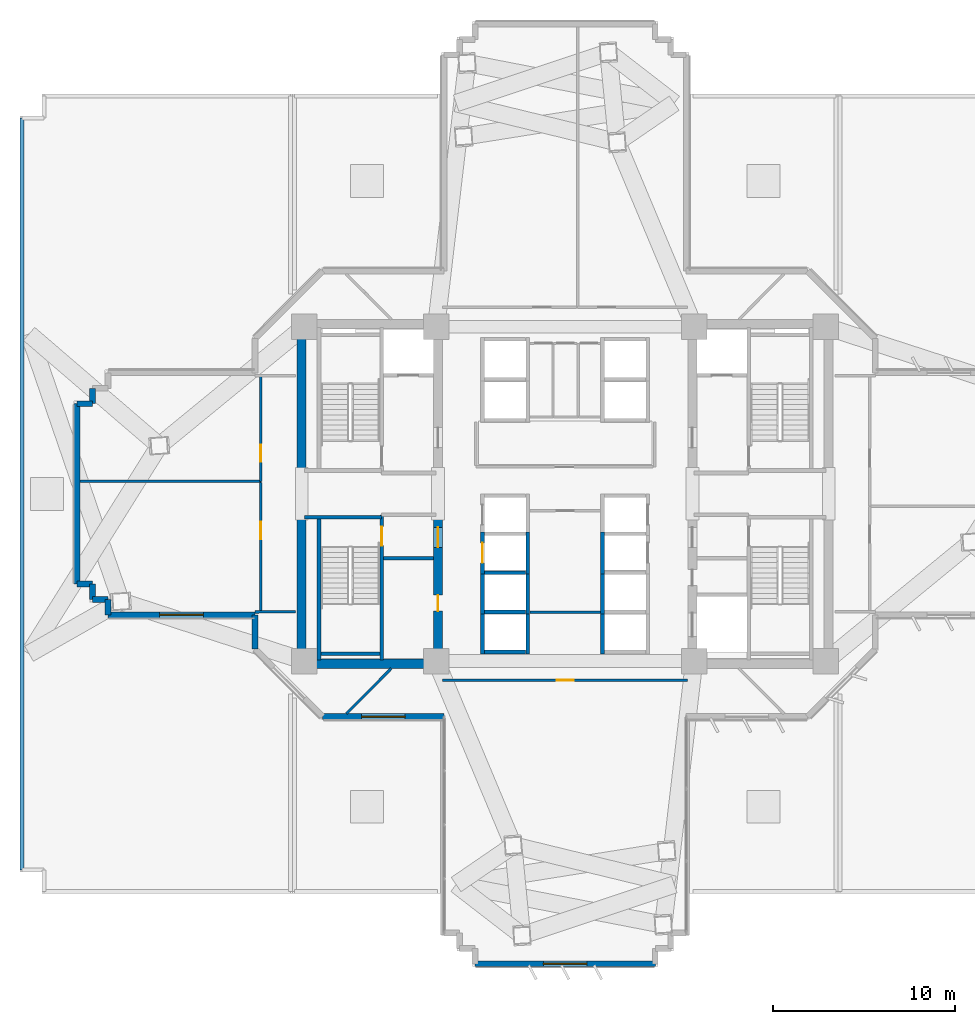
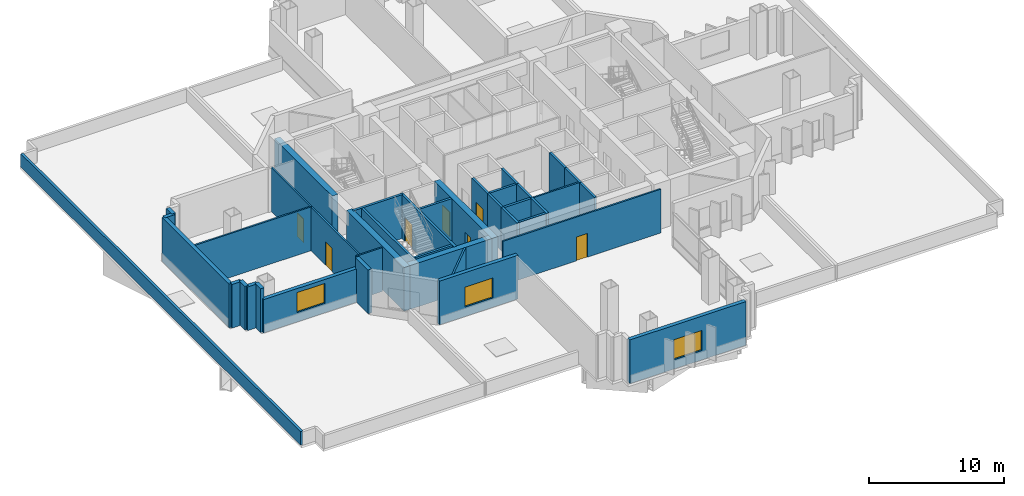
# One storey, part 7 of 15: 40 walls, 7 doors, 3 windows, 10 openings.
"""IFC4 building model written with IfcOpenShell, lengths in metres."""

from ifc_helpers import new_model, si_unit, direction, frame, frame_2d, origin, place, context, subcontext, project, spatial, rectangle, extrude, source, transform, mapped, material, layer, layer_set, type_object, element, fill, save


model = new_model("IFC4")

# Units and contexts
model_context = context("Model", 3, precision=1e-05, world=origin(), true_north=direction((0.0, 1.0)))
body_context = subcontext(model_context, "Body", "Model", "MODEL_VIEW")
ifc_project = project(units=[si_unit("LENGTHUNIT", "METRE"), si_unit("AREAUNIT", "SQUARE_METRE"), si_unit("VOLUMEUNIT", "CUBIC_METRE"), si_unit("PLANEANGLEUNIT", "RADIAN"), si_unit("MASSUNIT", "GRAM", prefix="KILO")], contexts=[model_context])

# Site, building, storey
site_placement = place(None, origin())
site = spatial("IfcSite", under=ifc_project, at=site_placement, CompositionType="ELEMENT")
building_placement = place(site_placement, origin())
building = spatial("IfcBuilding", under=site, at=building_placement, Name="Zahravan Cultural Tower", CompositionType="ELEMENT")
storey_placement = place(building_placement, frame((0.0, 0.0, 29.10009765625)))
storey = spatial("IfcBuildingStorey", under=building, at=storey_placement, Name="L05", CompositionType="ELEMENT", Elevation=29.10009765625)

# Wall, openings, doors
ifc_material_1 = material(Name="Concrete C60/75", Category="concrete")
ifc_layer_1 = layer(ifc_material_1, 0.5)
ifc_layer_set_1 = layer_set([ifc_layer_1], Name="Concrete C60/75")
wall_type_1 = type_object("IfcWallType", Name="CW-SHEAR-500-C60", PredefinedType="SHEAR", material=ifc_layer_set_1)
wall_1_placement = place(storey_placement, frame((29.0, 17.39990234375, 0.0), z_axis=(0.0, 0.0, 1.0), x_axis=(0.0, 1.0, 0.0)))
wall_1 = element("IfcWall", 1, at=wall_1_placement, inside=storey, type_object=wall_type_1, Name="L05 Core Shear Wall CW-W-ES-L05", PredefinedType="SHEAR", context=body_context, shape_type="SweptSolid", body=[
    extrude(rectangle(XDim=8.550048828125, YDim=0.5, at=frame_2d((4.27490234375, 0.0))), origin(), (0.0, 0.0, 1.0), 3.949951171875),
])
opening_1_placement = place(wall_1_placement, frame((6.64990234375, 0.0, 0.0)))
opening_1 = element("IfcOpeningElement", 2, at=opening_1_placement, cuts=wall_1, Name="Opening D-L05-07", PredefinedType="OPENING", context=body_context, shape_type="SweptSolid", body=[
    extrude(rectangle(XDim=1.10009765625, YDim=2.199951171875, at=frame_2d((0.550048828125, 1.10009765625))), frame((0.0, 0.260009765625, 0.0), z_axis=(0.0, -1.0, 0.0), x_axis=(1.0, 0.0, 0.0)), (0.0, 0.0, 1.0), 0.52001953125),
])
opening_2_placement = place(wall_1_placement, frame((3.14990234375, 0.0, 0.0)))
opening_2 = element("IfcOpeningElement", 3, at=opening_2_placement, cuts=wall_1, Name="Opening D-L05-09", PredefinedType="OPENING", context=body_context, shape_type="SweptSolid", body=[
    extrude(rectangle(XDim=0.8798828125, YDim=2.10009765625, at=frame_2d((0.43994140625, 1.050048828125))), frame((0.0, 0.260009765625, 0.0), z_axis=(0.0, -1.0, 0.0), x_axis=(1.0, 0.0, 0.0)), (0.0, 0.0, 1.0), 0.52001953125),
])
ifc_material_2 = material(Name="Steel ASTM A572 Grade 50", Category="steel")
door_type_1 = type_object("IfcDoorType", Name="DR-LOBBY-1100", OperationType="NOTDEFINED", PredefinedType="DOOR", material=ifc_material_2)
shared_shape_1 = source(origin(), body_context, "Body", "SweptSolid", [
    extrude(rectangle(XDim=1.10009765625, YDim=2.199951171875, at=frame_2d((0.550048828125, 1.10009765625))), frame((0.0, 0.02490234375, 0.0), z_axis=(0.0, -1.0, 0.0), x_axis=(1.0, 0.0, 0.0)), (0.0, 0.0, 1.0), 0.050048828125),
])
door_1_placement = place(opening_1_placement, origin())
door_1 = element("IfcDoor", 4, at=door_1_placement, inside=storey, type_object=door_type_1, Name="L05 Door D-L05-07", OperationType="SINGLE_SWING_RIGHT", OverallHeight=2.199951171875, OverallWidth=1.10009765625, PredefinedType="DOOR", context=body_context, shape_type="MappedRepresentation", body=[
    mapped(shared_shape_1, transform((0.0, 0.0, 0.0), x_axis=(1.0, 0.0, 0.0), y_axis=(0.0, 1.0, 0.0), z_axis=(0.0, 0.0, 1.0), scale=1.0)),
])
fill(opening_1, door_1)
door_type_2 = type_object("IfcDoorType", Name="DR-SVC-880", OperationType="NOTDEFINED", PredefinedType="DOOR", material=ifc_material_2)
shared_shape_2 = source(origin(), body_context, "Body", "SweptSolid", [
    extrude(rectangle(XDim=0.8798828125, YDim=2.10009765625, at=frame_2d((0.43994140625, 1.050048828125))), frame((0.0, 0.02490234375, 0.0), z_axis=(0.0, -1.0, 0.0), x_axis=(1.0, 0.0, 0.0)), (0.0, 0.0, 1.0), 0.050048828125),
])
door_2_placement = place(opening_2_placement, origin())
door_2 = element("IfcDoor", 5, at=door_2_placement, inside=storey, type_object=door_type_2, Name="L05 Door D-L05-09", OperationType="SINGLE_SWING_RIGHT", OverallHeight=2.10009765625, OverallWidth=0.8798828125, PredefinedType="DOOR", context=body_context, shape_type="MappedRepresentation", body=[
    mapped(shared_shape_2, transform((0.0, 0.0, 0.0), x_axis=(1.0, 0.0, 0.0), y_axis=(0.0, 1.0, 0.0), z_axis=(0.0, 0.0, 1.0), scale=1.0)),
])
fill(opening_2, door_2)

# Wall, opening, window
ifc_material_3 = material(Name="Precast concrete C40/50", Category="concrete")
ifc_layer_2 = layer(ifc_material_3, 0.320068359375)
ifc_layer_set_2 = layer_set([ifc_layer_2], Name="Precast concrete C40/50")
wall_type_2 = type_object("IfcWallType", Name="EW-TC-320", PredefinedType="SOLIDWALL", material=ifc_layer_set_2)
wall_2_placement = place(storey_placement, frame((40.9599609375, 1.139892578125, 0.0), z_axis=(0.0, 0.0, 1.0), x_axis=(-1.0, 0.0, 0.0)))
wall_2 = element("IfcWall", 6, at=wall_2_placement, inside=storey, type_object=wall_type_2, Name="L05 Exterior Masonry Frame Wall 19", PredefinedType="SOLIDWALL", context=body_context, shape_type="SweptSolid", body=[
    extrude(rectangle(XDim=9.919921875, YDim=0.320068359375, at=frame_2d((4.9599609375, 0.0))), origin(), (0.0, 0.0, 1.0), 3.949951171875),
])
opening_3_placement = place(wall_2_placement, frame((3.760009765625, 0.0, 0.85009765625)))
opening_3 = element("IfcOpeningElement", 7, at=opening_3_placement, cuts=wall_2, Name="Opening WN-01", PredefinedType="OPENING", context=body_context, shape_type="SweptSolid", body=[
    extrude(rectangle(XDim=2.39990234375, YDim=1.800048828125, at=frame_2d((1.199951171875, 0.89990234375))), frame((0.0, 0.169921875, 0.0), z_axis=(0.0, -1.0, 0.0), x_axis=(1.0, 0.0, 0.0)), (0.0, 0.0, 1.0), 0.340087890625),
])
ifc_material_4 = material(Name="Low-E solar-control double glazing", Category="glass")
window_type = type_object("IfcWindowType", Name="WN-REC-2400X1800", PartitioningType="DOUBLE_PANEL_VERTICAL", PredefinedType="WINDOW", material=ifc_material_4)
shared_shape_3 = source(origin(), body_context, "Body", "SweptSolid", [
    extrude(rectangle(XDim=2.39990234375, YDim=1.800048828125, at=frame_2d((1.199951171875, 0.89990234375))), frame((0.0, 0.030029296875, 0.0), z_axis=(0.0, -1.0, 0.0), x_axis=(1.0, 0.0, 0.0)), (0.0, 0.0, 1.0), 0.06005859375),
])
window_1_placement = place(opening_3_placement, origin())
window_1 = element("IfcWindow", 8, at=window_1_placement, inside=storey, type_object=window_type, Name="L05 Recessed Solar Window 05", OverallHeight=1.800048828125, OverallWidth=2.39990234375, PartitioningType="DOUBLE_PANEL_VERTICAL", PredefinedType="WINDOW", context=body_context, shape_type="MappedRepresentation", body=[
    mapped(shared_shape_3, transform((0.0, 0.0, 0.0), x_axis=(1.0, 0.0, 0.0), y_axis=(0.0, 1.0, 0.0), z_axis=(0.0, 0.0, 1.0), scale=1.0)),
])
fill(opening_3, window_1)

wall_3_placement = place(storey_placement, frame((29.340087890625, 14.739990234375, 0.0), z_axis=(0.0, 0.0, 1.0), x_axis=(-1.0, 0.0, 0.0)))
wall_3 = element("IfcWall", 9, at=wall_3_placement, inside=storey, type_object=wall_type_2, Name="L05 Exterior Masonry Frame Wall 24", PredefinedType="SOLIDWALL", context=body_context, shape_type="SweptSolid", body=[
    extrude(rectangle(XDim=6.68212890625, YDim=0.320068359375, at=frame_2d((3.341064453125, 0.0))), origin(), (0.0, 0.0, 1.0), 3.949951171875),
])
opening_4_placement = place(wall_3_placement, frame((2.14111328125, 0.0, 0.85009765625)))
opening_4 = element("IfcOpeningElement", 10, at=opening_4_placement, cuts=wall_3, Name="Opening WN-01", PredefinedType="OPENING", context=body_context, shape_type="SweptSolid", body=[
    extrude(rectangle(XDim=2.39990234375, YDim=1.800048828125, at=frame_2d((1.199951171875, 0.89990234375))), frame((0.0, 0.169921875, 0.0), z_axis=(0.0, -1.0, 0.0), x_axis=(1.0, 0.0, 0.0)), (0.0, 0.0, 1.0), 0.340087890625),
])
window_2_placement = place(opening_4_placement, origin())
window_2 = element("IfcWindow", 11, at=window_2_placement, inside=storey, type_object=window_type, Name="L05 Recessed Solar Window 06", OverallHeight=1.800048828125, OverallWidth=2.39990234375, PartitioningType="DOUBLE_PANEL_VERTICAL", PredefinedType="WINDOW", context=body_context, shape_type="MappedRepresentation", body=[
    mapped(shared_shape_3, transform((0.0, 0.0, 0.0), x_axis=(1.0, 0.0, 0.0), y_axis=(0.0, 1.0, 0.0), z_axis=(0.0, 0.0, 1.0), scale=1.0)),
])
fill(opening_4, window_2)

wall_4_placement = place(storey_placement, frame((18.93994140625, 20.340087890625, 0.0), z_axis=(0.0, 0.0, 1.0), x_axis=(-1.0, 0.0, 0.0)))
wall_4 = element("IfcWall", 12, at=wall_4_placement, inside=storey, type_object=wall_type_2, Name="L05 Exterior Masonry Frame Wall 27", PredefinedType="SOLIDWALL", context=body_context, shape_type="SweptSolid", body=[
    extrude(rectangle(XDim=8.099853515625, YDim=0.320068359375, at=frame_2d((4.0498046875, 0.0))), origin(), (0.0, 0.0, 1.0), 3.010009765625),
])
opening_5_placement = place(wall_4_placement, frame((2.85009765625, 0.0, 0.85009765625)))
opening_5 = element("IfcOpeningElement", 13, at=opening_5_placement, cuts=wall_4, Name="Opening WN-01", PredefinedType="OPENING", context=body_context, shape_type="SweptSolid", body=[
    extrude(rectangle(XDim=2.39990234375, YDim=1.800048828125, at=frame_2d((1.199951171875, 0.89990234375))), frame((0.0, 0.169921875, 0.0), z_axis=(0.0, -1.0, 0.0), x_axis=(1.0, 0.0, 0.0)), (0.0, 0.0, 1.0), 0.340087890625),
])
window_3_placement = place(opening_5_placement, origin())
window_3 = element("IfcWindow", 14, at=window_3_placement, inside=storey, type_object=window_type, Name="L05 Recessed Solar Window 08", OverallHeight=1.800048828125, OverallWidth=2.39990234375, PartitioningType="DOUBLE_PANEL_VERTICAL", PredefinedType="WINDOW", context=body_context, shape_type="MappedRepresentation", body=[
    mapped(shared_shape_3, transform((0.0, 0.0, 0.0), x_axis=(1.0, 0.0, 0.0), y_axis=(0.0, 1.0, 0.0), z_axis=(0.0, 0.0, 1.0), scale=1.0)),
])
fill(opening_5, window_3)

# Wall, opening, door
ifc_material_5 = material(Name="Gypsum plasterboard partition")
ifc_layer_3 = layer(ifc_material_5, 0.139892578125)
ifc_layer_set_3 = layer_set([ifc_layer_3], Name="Gypsum plasterboard partition")
wall_type_3 = type_object("IfcWallType", Name="W-PART-140", PredefinedType="PARTITIONING", material=ifc_layer_set_3)
wall_5_placement = place(storey_placement, frame((19.25048828125, 33.496337890625, 0.0), z_axis=(0.0, 0.0, 1.0), x_axis=(-8.409368e-05, -0.999999996464, 0.0)))
wall_5 = element("IfcWall", 15, at=wall_5_placement, inside=storey, type_object=wall_type_3, Name="L05 Interior Wall 079", PredefinedType="PARTITIONING", context=body_context, shape_type="SweptSolid", body=[
    extrude(rectangle(XDim=5.806396484375, YDim=0.139892578125, at=frame_2d((2.9033203125, 0.0))), origin(), (0.0, 0.0, 1.0), 3.949951171875),
])
opening_6_placement = place(wall_5_placement, frame((3.787841796875, 0.0, 0.0)))
opening_6 = element("IfcOpeningElement", 16, at=opening_6_placement, cuts=wall_5, Name="Opening D-L05-20", PredefinedType="OPENING", context=body_context, shape_type="SweptSolid", body=[
    extrude(rectangle(XDim=0.949951171875, YDim=2.14990234375, at=frame_2d((0.47509765625, 1.074951171875))), frame((0.0, 0.079833984375, 0.0), z_axis=(0.0, -1.0, 0.0), x_axis=(1.0, 0.0, 0.0)), (0.0, 0.0, 1.0), 0.159912109375),
])
ifc_material_6 = material(Name="Anodised bronze-aluminium mullion", Category="aluminium")
door_type_3 = type_object("IfcDoorType", Name="DR-ROOM-950", OperationType="NOTDEFINED", PredefinedType="DOOR", material=ifc_material_6)
shared_shape_4 = source(origin(), body_context, "Body", "SweptSolid", [
    extrude(rectangle(XDim=0.949951171875, YDim=2.14990234375, at=frame_2d((0.47509765625, 1.074951171875))), frame((0.0, 0.02490234375, 0.0), z_axis=(0.0, -1.0, 0.0), x_axis=(1.0, 0.0, 0.0)), (0.0, 0.0, 1.0), 0.050048828125),
])
door_3_placement = place(opening_6_placement, origin())
door_3 = element("IfcDoor", 17, at=door_3_placement, inside=storey, type_object=door_type_3, Name="L05 Door D-L05-20", OperationType="SINGLE_SWING_LEFT", OverallHeight=2.14990234375, OverallWidth=0.949951171875, PredefinedType="DOOR", context=body_context, shape_type="MappedRepresentation", body=[
    mapped(shared_shape_4, transform((0.0, 0.0, 0.0), x_axis=(1.0, 0.0, 0.0), y_axis=(0.0, 1.0, 0.0), z_axis=(0.0, 0.0, 1.0), scale=1.0)),
])
fill(opening_6, door_3)

wall_6_placement = place(storey_placement, frame((19.25, 27.614990234375, 0.0), z_axis=(0.0, 0.0, 1.0), x_axis=(0.0, -1.0, 0.0)))
wall_6 = element("IfcWall", 18, at=wall_6_placement, inside=storey, type_object=wall_type_3, Name="L05 Interior Wall 091", PredefinedType="PARTITIONING", context=body_context, shape_type="SweptSolid", body=[
    extrude(rectangle(XDim=7.109130859375, YDim=0.139892578125, at=frame_2d((3.5546875, 0.0))), origin(), (0.0, 0.0, 1.0), 3.949951171875),
])
opening_7_placement = place(wall_6_placement, frame((2.15576171875, 0.0, 0.0)))
opening_7 = element("IfcOpeningElement", 19, at=opening_7_placement, cuts=wall_6, Name="Opening D-L05-21", PredefinedType="OPENING", context=body_context, shape_type="SweptSolid", body=[
    extrude(rectangle(XDim=0.949951171875, YDim=2.14990234375, at=frame_2d((0.47509765625, 1.074951171875))), frame((0.0, 0.079833984375, 0.0), z_axis=(0.0, -1.0, 0.0), x_axis=(1.0, 0.0, 0.0)), (0.0, 0.0, 1.0), 0.159912109375),
])
door_4_placement = place(opening_7_placement, origin())
door_4 = element("IfcDoor", 20, at=door_4_placement, inside=storey, type_object=door_type_3, Name="L05 Door D-L05-21", OperationType="SINGLE_SWING_RIGHT", OverallHeight=2.14990234375, OverallWidth=0.949951171875, PredefinedType="DOOR", context=body_context, shape_type="MappedRepresentation", body=[
    mapped(shared_shape_4, transform((0.0, 0.0, 0.0), x_axis=(1.0, 0.0, 0.0), y_axis=(0.0, 1.0, 0.0), z_axis=(0.0, 0.0, 1.0), scale=1.0)),
])
fill(opening_7, door_4)

wall_7_placement = place(storey_placement, frame((29.255859375, 16.739990234375, 0.0), z_axis=(0.0, 0.0, 1.0), x_axis=(1.0, 0.0, 0.0)))
wall_7 = element("IfcWall", 21, at=wall_7_placement, inside=storey, type_object=wall_type_3, Name="L05 Interior Wall 097", PredefinedType="PARTITIONING", context=body_context, shape_type="SweptSolid", body=[
    extrude(rectangle(XDim=13.48828125, YDim=0.139892578125, at=frame_2d((6.744140625, 0.0))), origin(), (0.0, 0.0, 1.0), 3.949951171875),
])
opening_8_placement = place(wall_7_placement, frame((6.26904296875, 0.0, 0.0)))
opening_8 = element("IfcOpeningElement", 22, at=opening_8_placement, cuts=wall_7, Name="Opening D-L05-22", PredefinedType="OPENING", context=body_context, shape_type="SweptSolid", body=[
    extrude(rectangle(XDim=0.949951171875, YDim=2.14990234375, at=frame_2d((0.47509765625, 1.074951171875))), frame((0.0, 0.079833984375, 0.0), z_axis=(0.0, -1.0, 0.0), x_axis=(1.0, 0.0, 0.0)), (0.0, 0.0, 1.0), 0.159912109375),
])
door_5_placement = place(opening_8_placement, origin())
door_5 = element("IfcDoor", 23, at=door_5_placement, inside=storey, type_object=door_type_3, Name="L05 Door D-L05-22", OperationType="SINGLE_SWING_LEFT", OverallHeight=2.14990234375, OverallWidth=0.949951171875, PredefinedType="DOOR", context=body_context, shape_type="MappedRepresentation", body=[
    mapped(shared_shape_4, transform((0.0, 0.0, 0.0), x_axis=(1.0, 0.0, 0.0), y_axis=(0.0, 1.0, 0.0), z_axis=(0.0, 0.0, 1.0), scale=1.0)),
])
fill(opening_8, door_5)

ifc_material_7 = material(Name="Concrete C45/55", Category="concrete")
ifc_layer_4 = layer(ifc_material_7, 0.199951171875)
ifc_layer_set_4 = layer_set([ifc_layer_4], Name="Concrete C45/55")
wall_type_4 = type_object("IfcWallType", Name="W-SHAFT-200", PredefinedType="SOLIDWALL", material=ifc_layer_set_4)
wall_8_placement = place(storey_placement, frame((25.89990234375, 17.85009765625, 0.0), z_axis=(0.0, 0.0, 1.0), x_axis=(0.0, 1.0, 0.0)))
wall_8 = element("IfcWall", 24, at=wall_8_placement, inside=storey, type_object=wall_type_4, Name="L05 Interior Wall 005", PredefinedType="SOLIDWALL", context=body_context, shape_type="SweptSolid", body=[
    extrude(rectangle(XDim=8.0, YDim=0.199951171875, at=frame_2d((4.0, 0.0))), origin(), (0.0, 0.0, 1.0), 3.949951171875),
])
opening_9_placement = place(wall_8_placement, frame((6.300048828125, 0.0, 0.0)))
opening_9 = element("IfcOpeningElement", 25, at=opening_9_placement, cuts=wall_8, Name="Opening D-L05-04", PredefinedType="OPENING", context=body_context, shape_type="SweptSolid", body=[
    extrude(rectangle(XDim=1.050048828125, YDim=2.14990234375, at=frame_2d((0.52490234375, 1.074951171875))), frame((0.0, 0.10986328125, 0.0), z_axis=(0.0, -1.0, 0.0), x_axis=(1.0, 0.0, 0.0)), (0.0, 0.0, 1.0), 0.219970703125),
])
door_type_4 = type_object("IfcDoorType", Name="DR-STAIR-1050", OperationType="NOTDEFINED", PredefinedType="DOOR", material=ifc_material_2)
shared_shape_5 = source(origin(), body_context, "Body", "SweptSolid", [
    extrude(rectangle(XDim=1.050048828125, YDim=2.14990234375, at=frame_2d((0.52490234375, 1.074951171875))), frame((0.0, 0.02490234375, 0.0), z_axis=(0.0, -1.0, 0.0), x_axis=(1.0, 0.0, 0.0)), (0.0, 0.0, 1.0), 0.050048828125),
])
door_6_placement = place(opening_9_placement, origin())
door_6 = element("IfcDoor", 26, at=door_6_placement, inside=storey, type_object=door_type_4, Name="L05 Door D-L05-04", OperationType="SINGLE_SWING_LEFT", OverallHeight=2.14990234375, OverallWidth=1.050048828125, PredefinedType="DOOR", context=body_context, shape_type="MappedRepresentation", body=[
    mapped(shared_shape_5, transform((0.0, 0.0, 0.0), x_axis=(1.0, 0.0, 0.0), y_axis=(0.0, 1.0, 0.0), z_axis=(0.0, 0.0, 1.0), scale=1.0)),
])
fill(opening_9, door_6)

wall_9_placement = place(storey_placement, frame((31.449951171875, 22.60009765625, 0.0), z_axis=(0.0, 0.0, 1.0), x_axis=(0.0, 1.0, 0.0)))
wall_9 = element("IfcWall", 27, at=wall_9_placement, inside=storey, type_object=wall_type_4, Name="L05 Interior Wall 058", PredefinedType="SOLIDWALL", context=body_context, shape_type="SweptSolid", body=[
    extrude(rectangle(XDim=2.2998046875, YDim=0.199951171875, at=frame_2d((1.14990234375, 0.0))), origin(), (0.0, 0.0, 1.0), 3.949951171875),
])
opening_10_placement = place(wall_9_placement, frame((0.60009765625, 0.0, 0.0)))
opening_10 = element("IfcOpeningElement", 28, at=opening_10_placement, cuts=wall_9, Name="Opening LD-L05-05", PredefinedType="OPENING", context=body_context, shape_type="SweptSolid", body=[
    extrude(rectangle(XDim=1.10009765625, YDim=2.14990234375, at=frame_2d((0.550048828125, 1.074951171875))), frame((0.0, 0.10986328125, 0.0), z_axis=(0.0, -1.0, 0.0), x_axis=(1.0, 0.0, 0.0)), (0.0, 0.0, 1.0), 0.219970703125),
])
door_type_5 = type_object("IfcDoorType", Name="DR-LIFT-1100", OperationType="DOUBLE_DOOR_SLIDING", PredefinedType="DOOR", material=ifc_material_2)
shared_shape_6 = source(origin(), body_context, "Body", "SweptSolid", [
    extrude(rectangle(XDim=1.10009765625, YDim=2.14990234375, at=frame_2d((0.550048828125, 1.074951171875))), frame((0.0, 0.02490234375, 0.0), z_axis=(0.0, -1.0, 0.0), x_axis=(1.0, 0.0, 0.0)), (0.0, 0.0, 1.0), 0.050048828125),
])
door_7_placement = place(opening_10_placement, origin())
door_7 = element("IfcDoor", 29, at=door_7_placement, inside=storey, type_object=door_type_5, Name="L05 Door LD-L05-05", OperationType="DOUBLE_DOOR_SLIDING", OverallHeight=2.14990234375, OverallWidth=1.10009765625, PredefinedType="DOOR", context=body_context, shape_type="MappedRepresentation", body=[
    mapped(shared_shape_6, transform((0.0, 0.0, 0.0), x_axis=(1.0, 0.0, 0.0), y_axis=(0.0, 1.0, 0.0), z_axis=(0.0, 0.0, 1.0), scale=1.0)),
])
fill(opening_10, door_7)

# Walls
shared_shape_7 = source(origin(), body_context, "Body", "SweptSolid", [
    extrude(rectangle(XDim=8.550048828125, YDim=0.5, at=frame_2d((4.27490234375, 0.0))), origin(), (0.0, 0.0, 1.0), 3.949951171875),
])
for number, where, z_axis, x_axis, name in (
    (30, (21.5, 17.39990234375, 0.0), (0.0, 0.0, 1.0), (0.0, 1.0, 0.0), "L05 Core Shear Wall CW-W-WS-L05"),
    (31, (21.5, 28.050048828125, 0.0), (0.0, 0.0, 1.0), (0.0, 1.0, 0.0), "L05 Core Shear Wall CW-W-WN-L05"),
):
    element("IfcWall", number, at=place(storey_placement, frame(where, z_axis=z_axis, x_axis=x_axis)), inside=storey, type_object=wall_type_1, Name=name, PredefinedType="SHEAR", context=body_context, shape_type="MappedRepresentation", body=[
        mapped(shared_shape_7, transform((0.0, 0.0, 0.0), x_axis=(1.0, 0.0, 0.0), y_axis=(0.0, 1.0, 0.0), z_axis=(0.0, 0.0, 1.0), scale=1.0)),
    ])
shared_shape_8 = source(origin(), body_context, "Body", "SweptSolid", [
    extrude(rectangle(XDim=7.0, YDim=0.5, at=frame_2d((3.5, 0.0))), origin(), (0.0, 0.0, 1.0), 3.949951171875),
])
wall_10_placement = place(storey_placement, frame((21.75, 17.64990234375, 0.0), z_axis=(0.0, 0.0, 1.0), x_axis=(1.0, 0.0, 0.0)))
element("IfcWall", 32, at=wall_10_placement, inside=storey, type_object=wall_type_1, Name="L05 Core Shear Wall CW-W-S-L05", PredefinedType="SHEAR", context=body_context, shape_type="MappedRepresentation", body=[
    mapped(shared_shape_8, transform((0.0, 0.0, 0.0), x_axis=(1.0, 0.0, 0.0), y_axis=(0.0, 1.0, 0.0), z_axis=(0.0, 0.0, 1.0), scale=1.0)),
])
ifc_layer_5 = layer(ifc_material_3, 0.219970703125)
ifc_layer_set_5 = layer_set([ifc_layer_5], Name="Precast concrete C40/50")
wall_type_5 = type_object("IfcWallType", Name="EW-PARAPET-220", PredefinedType="PARAPET", material=ifc_layer_set_5)
shared_shape_9 = source(origin(), body_context, "Body", "SweptSolid", [
    extrude(rectangle(XDim=41.3798828125, YDim=0.219970703125, at=frame_2d((20.68994140625, 0.0))), origin(), (0.0, 0.0, 1.0), 1.199951171875),
])
wall_11_placement = place(storey_placement, frame((6.110107421875, 6.31005859375, 0.0), z_axis=(0.0, 0.0, 1.0), x_axis=(0.0, 1.0, 0.0)))
element("IfcWall", 33, at=wall_11_placement, inside=storey, type_object=wall_type_5, Name="L05 Setback Roof Parapet 2", PredefinedType="PARAPET", context=body_context, shape_type="MappedRepresentation", body=[
    mapped(shared_shape_9, transform((0.0, 0.0, 0.0), x_axis=(1.0, 0.0, 0.0), y_axis=(0.0, 1.0, 0.0), z_axis=(0.0, 0.0, 1.0), scale=1.0)),
])
shared_shape_10 = source(origin(), body_context, "Body", "SweptSolid", [
    extrude(rectangle(XDim=0.849853515625, YDim=0.320068359375, at=frame_2d((0.4248046875, 0.0))), origin(), (0.0, 0.0, 1.0), 3.949951171875),
])
wall_12_placement = place(storey_placement, frame((10.840087890625, 20.340087890625, 0.0), z_axis=(0.0, 0.0, 1.0), x_axis=(0.0, 1.0, 0.0)))
element("IfcWall", 34, at=wall_12_placement, inside=storey, type_object=wall_type_2, Name="L05 Exterior Masonry Frame Wall 28", PredefinedType="SOLIDWALL", context=body_context, shape_type="MappedRepresentation", body=[
    mapped(shared_shape_10, transform((0.0, 0.0, 0.0), x_axis=(1.0, 0.0, 0.0), y_axis=(0.0, 1.0, 0.0), z_axis=(0.0, 0.0, 1.0), scale=1.0)),
])
shared_shape_11 = source(origin(), body_context, "Body", "SweptSolid", [
    extrude(rectangle(XDim=0.85009765625, YDim=0.320068359375, at=frame_2d((0.425048828125, 0.0))), origin(), (0.0, 0.0, 1.0), 3.949951171875),
])
for number, where, z_axis, x_axis, name in (
    (35, (10.840087890625, 21.18994140625, 0.0), (0.0, 0.0, 1.0), (-1.0, 0.0, 0.0), "L05 Exterior Masonry Frame Wall 29"),
    (36, (9.989990234375, 21.18994140625, 0.0), (0.0, 0.0, 1.0), (0.0, 1.0, 0.0), "L05 Exterior Masonry Frame Wall 30"),
    (37, (9.989990234375, 22.0400390625, 0.0), (0.0, 0.0, 1.0), (-1.0, 0.0, 0.0), "L05 Exterior Masonry Frame Wall 31"),
    (38, (9.139892578125, 31.9599609375, 0.0), (0.0, 0.0, 1.0), (1.0, 0.0, 0.0), "L05 Exterior Masonry Frame Wall 33"),
    (39, (9.989990234375, 31.9599609375, 0.0), (0.0, 0.0, 1.0), (0.0, 1.0, 0.0), "L05 Exterior Masonry Frame Wall 34"),
):
    element("IfcWall", number, at=place(storey_placement, frame(where, z_axis=z_axis, x_axis=x_axis)), inside=storey, type_object=wall_type_2, Name=name, PredefinedType="SOLIDWALL", context=body_context, shape_type="MappedRepresentation", body=[
        mapped(shared_shape_11, transform((0.0, 0.0, 0.0), x_axis=(1.0, 0.0, 0.0), y_axis=(0.0, 1.0, 0.0), z_axis=(0.0, 0.0, 1.0), scale=1.0)),
    ])
shared_shape_12 = source(origin(), body_context, "Body", "SweptSolid", [
    extrude(rectangle(XDim=9.919921875, YDim=0.320068359375, at=frame_2d((4.9599609375, 0.0))), origin(), (0.0, 0.0, 1.0), 3.949951171875),
])
wall_13_placement = place(storey_placement, frame((9.139892578125, 22.0400390625, 0.0), z_axis=(0.0, 0.0, 1.0), x_axis=(0.0, 1.0, 0.0)))
element("IfcWall", 40, at=wall_13_placement, inside=storey, type_object=wall_type_2, Name="L05 Exterior Masonry Frame Wall 32", PredefinedType="SOLIDWALL", context=body_context, shape_type="MappedRepresentation", body=[
    mapped(shared_shape_12, transform((0.0, 0.0, 0.0), x_axis=(1.0, 0.0, 0.0), y_axis=(0.0, 1.0, 0.0), z_axis=(0.0, 0.0, 1.0), scale=1.0)),
])
shared_shape_13 = source(origin(), body_context, "Body", "SweptSolid", [
    extrude(rectangle(XDim=1.882080078125, YDim=0.320068359375, at=frame_2d((0.94091796875, 0.0))), origin(), (0.0, 0.0, 1.0), 3.949951171875),
])
wall_14_placement = place(storey_placement, frame((18.93994140625, 18.4580078125, 0.0), z_axis=(0.0, 0.0, 1.0), x_axis=(0.0, 1.0, 0.0)))
element("IfcWall", 41, at=wall_14_placement, inside=storey, type_object=wall_type_2, Name="L05 Exterior Masonry Frame Wall 26", PredefinedType="SOLIDWALL", context=body_context, shape_type="MappedRepresentation", body=[
    mapped(shared_shape_13, transform((0.0, 0.0, 0.0), x_axis=(1.0, 0.0, 0.0), y_axis=(0.0, 1.0, 0.0), z_axis=(0.0, 0.0, 1.0), scale=1.0)),
])
shared_shape_14 = source(origin(), body_context, "Body", "SweptSolid", [
    extrude(rectangle(XDim=7.869873046875, YDim=0.199951171875, at=frame_2d((3.93505859375, 0.0))), origin(), (0.0, 0.0, 1.0), 3.949951171875),
])
wall_15_placement = place(storey_placement, frame((22.449951171875, 17.85009765625, 0.0), z_axis=(0.0, 0.0, 1.0), x_axis=(0.0, 1.0, 0.0)))
element("IfcWall", 42, at=wall_15_placement, inside=storey, type_object=wall_type_4, Name="L05 Interior Wall 001", PredefinedType="SOLIDWALL", context=body_context, shape_type="MappedRepresentation", body=[
    mapped(shared_shape_14, transform((0.0, 0.0, 0.0), x_axis=(1.0, 0.0, 0.0), y_axis=(0.0, 1.0, 0.0), z_axis=(0.0, 0.0, 1.0), scale=1.0)),
])
shared_shape_15 = source(origin(), body_context, "Body", "SweptSolid", [
    extrude(rectangle(XDim=4.25, YDim=0.199951171875, at=frame_2d((2.125, 0.0))), origin(), (0.0, 0.0, 1.0), 3.949951171875),
])
wall_16_placement = place(storey_placement, frame((21.64990234375, 25.715087890625, 0.0), z_axis=(0.0, 0.0, 1.0), x_axis=(1.0, 0.0, 0.0)))
element("IfcWall", 43, at=wall_16_placement, inside=storey, type_object=wall_type_4, Name="L05 Interior Wall 009", PredefinedType="SOLIDWALL", context=body_context, shape_type="MappedRepresentation", body=[
    mapped(shared_shape_15, transform((0.0, 0.0, 0.0), x_axis=(1.0, 0.0, 0.0), y_axis=(0.0, 1.0, 0.0), z_axis=(0.0, 0.0, 1.0), scale=1.0)),
])
shared_shape_16 = source(origin(), body_context, "Body", "SweptSolid", [
    extrude(rectangle(XDim=3.25, YDim=0.199951171875, at=frame_2d((1.625, 0.0))), origin(), (0.0, 0.0, 1.0), 3.949951171875),
])
wall_17_placement = place(storey_placement, frame((22.550048828125, 18.199951171875, 0.0), z_axis=(0.0, 0.0, 1.0), x_axis=(1.0, 0.0, 0.0)))
element("IfcWall", 44, at=wall_17_placement, inside=storey, type_object=wall_type_4, Name="L05 Interior Wall 019", PredefinedType="SOLIDWALL", context=body_context, shape_type="MappedRepresentation", body=[
    mapped(shared_shape_16, transform((0.0, 0.0, 0.0), x_axis=(1.0, 0.0, 0.0), y_axis=(0.0, 1.0, 0.0), z_axis=(0.0, 0.0, 1.0), scale=1.0)),
])
shared_shape_17 = source(origin(), body_context, "Body", "SweptSolid", [
    extrude(rectangle(XDim=2.75, YDim=0.199951171875, at=frame_2d((1.375, 0.0))), origin(), (0.0, 0.0, 1.0), 3.949951171875),
])
wall_18_placement = place(storey_placement, frame((26.0, 23.449951171875, 0.0), z_axis=(0.0, 0.0, 1.0), x_axis=(1.0, 0.0, 0.0)))
element("IfcWall", 45, at=wall_18_placement, inside=storey, type_object=wall_type_4, Name="L05 Interior Wall 023", PredefinedType="SOLIDWALL", context=body_context, shape_type="MappedRepresentation", body=[
    mapped(shared_shape_17, transform((0.0, 0.0, 0.0), x_axis=(1.0, 0.0, 0.0), y_axis=(0.0, 1.0, 0.0), z_axis=(0.0, 0.0, 1.0), scale=1.0)),
])
shared_shape_18 = source(origin(), body_context, "Body", "SweptSolid", [
    extrude(rectangle(XDim=2.260009765625, YDim=0.199951171875, at=frame_2d((1.1298828125, 0.0))), origin(), (0.0, 0.0, 1.0), 3.949951171875),
])
for number, where, z_axis, x_axis, name in (
    (46, (31.570068359375, 20.5, 0.0), (0.0, 0.0, 1.0), (1.0, 0.0, 0.0), "L05 Interior Wall 042"),
    (47, (31.570068359375, 22.64990234375, 0.0), (0.0, 0.0, 1.0), (1.0, 0.0, 0.0), "L05 Interior Wall 043"),
    (48, (31.570068359375, 18.300048828125, 0.0), (0.0, 0.0, 1.0), (1.0, 0.0, 0.0), "L05 Interior Wall 046"),
):
    element("IfcWall", number, at=place(storey_placement, frame(where, z_axis=z_axis, x_axis=x_axis)), inside=storey, type_object=wall_type_4, Name=name, PredefinedType="SOLIDWALL", context=body_context, shape_type="MappedRepresentation", body=[
        mapped(shared_shape_18, transform((0.0, 0.0, 0.0), x_axis=(1.0, 0.0, 0.0), y_axis=(0.0, 1.0, 0.0), z_axis=(0.0, 0.0, 1.0), scale=1.0)),
    ])
shared_shape_19 = source(origin(), body_context, "Body", "SweptSolid", [
    extrude(rectangle(XDim=2.35009765625, YDim=0.199951171875, at=frame_2d((1.175048828125, 0.0))), origin(), (0.0, 0.0, 1.0), 3.949951171875),
])
for number, where, z_axis, x_axis, name in (
    (49, (31.449951171875, 20.39990234375, 0.0), (0.0, 0.0, 1.0), (0.0, 1.0, 0.0), "L05 Interior Wall 040"),
    (50, (33.949951171875, 20.39990234375, 0.0), (0.0, 0.0, 1.0), (0.0, 1.0, 0.0), "L05 Interior Wall 041"),
    (51, (31.449951171875, 18.199951171875, 0.0), (0.0, 0.0, 1.0), (0.0, 1.0, 0.0), "L05 Interior Wall 044"),
    (52, (33.949951171875, 18.199951171875, 0.0), (0.0, 0.0, 1.0), (0.0, 1.0, 0.0), "L05 Interior Wall 045"),
    (53, (38.050048828125, 20.39990234375, 0.0), (0.0, 0.0, 1.0), (0.0, 1.0, 0.0), "L05 Interior Wall 047"),
    (54, (38.050048828125, 18.199951171875, 0.0), (0.0, 0.0, 1.0), (0.0, 1.0, 0.0), "L05 Interior Wall 051"),
):
    element("IfcWall", number, at=place(storey_placement, frame(where, z_axis=z_axis, x_axis=x_axis)), inside=storey, type_object=wall_type_4, Name=name, PredefinedType="SOLIDWALL", context=body_context, shape_type="MappedRepresentation", body=[
        mapped(shared_shape_19, transform((0.0, 0.0, 0.0), x_axis=(1.0, 0.0, 0.0), y_axis=(0.0, 1.0, 0.0), z_axis=(0.0, 0.0, 1.0), scale=1.0)),
    ])
shared_shape_20 = source(origin(), body_context, "Body", "SweptSolid", [
    extrude(rectangle(XDim=2.2998046875, YDim=0.199951171875, at=frame_2d((1.14990234375, 0.0))), origin(), (0.0, 0.0, 1.0), 3.949951171875),
])
for number, where, z_axis, x_axis, name in (
    (55, (33.949951171875, 22.60009765625, 0.0), (0.0, 0.0, 1.0), (0.0, 1.0, 0.0), "L05 Interior Wall 059"),
    (56, (38.050048828125, 22.60009765625, 0.0), (0.0, 0.0, 1.0), (0.0, 1.0, 0.0), "L05 Interior Wall 064"),
):
    element("IfcWall", number, at=place(storey_placement, frame(where, z_axis=z_axis, x_axis=x_axis)), inside=storey, type_object=wall_type_4, Name=name, PredefinedType="SOLIDWALL", context=body_context, shape_type="MappedRepresentation", body=[
        mapped(shared_shape_20, transform((0.0, 0.0, 0.0), x_axis=(1.0, 0.0, 0.0), y_axis=(0.0, 1.0, 0.0), z_axis=(0.0, 0.0, 1.0), scale=1.0)),
    ])
shared_shape_21 = source(origin(), body_context, "Body", "SweptSolid", [
    extrude(rectangle(XDim=3.89013671875, YDim=0.139892578125, at=frame_2d((1.945068359375, 0.0))), origin(), (0.0, 0.0, 1.0), 3.949951171875),
])
wall_19_placement = place(storey_placement, frame((37.945068359375, 20.489990234375, 0.0), z_axis=(0.0, 0.0, 1.0), x_axis=(-1.0, 0.0, 0.0)))
element("IfcWall", 57, at=wall_19_placement, inside=storey, type_object=wall_type_3, Name="L05 Interior Wall 075", PredefinedType="PARTITIONING", context=body_context, shape_type="MappedRepresentation", body=[
    mapped(shared_shape_21, transform((0.0, 0.0, 0.0), x_axis=(1.0, 0.0, 0.0), y_axis=(0.0, 1.0, 0.0), z_axis=(0.0, 0.0, 1.0), scale=1.0)),
])
shared_shape_22 = source(origin(), body_context, "Body", "SweptSolid", [
    extrude(rectangle(XDim=9.945068359375, YDim=0.139892578125, at=frame_2d((4.97265625, 0.0))), origin(), (0.0, 0.0, 1.0), 3.949951171875),
])
wall_20_placement = place(storey_placement, frame((19.25, 27.68994140625, 0.0), z_axis=(0.0, 0.0, 1.0), x_axis=(-1.0, 0.0, 0.0)))
element("IfcWall", 58, at=wall_20_placement, inside=storey, type_object=wall_type_3, Name="L05 Interior Wall 080", PredefinedType="PARTITIONING", context=body_context, shape_type="MappedRepresentation", body=[
    mapped(shared_shape_22, transform((0.0, 0.0, 0.0), x_axis=(1.0, 0.0, 0.0), y_axis=(0.0, 1.0, 0.0), z_axis=(0.0, 0.0, 1.0), scale=1.0)),
])
shared_shape_23 = source(origin(), body_context, "Body", "SweptSolid", [
    extrude(rectangle(XDim=2.21435546875, YDim=0.139892578125, at=frame_2d((1.107177734375, 0.0))), origin(), (0.0, 0.0, 1.0), 3.949951171875),
])
wall_21_placement = place(storey_placement, frame((18.93505859375, 20.49951171875, 0.0), z_axis=(0.0, 0.0, 1.0), x_axis=(0.999998444054, 0.001764054587, 0.0)))
element("IfcWall", 59, at=wall_21_placement, inside=storey, type_object=wall_type_3, Name="L05 Interior Wall 092", PredefinedType="PARTITIONING", context=body_context, shape_type="MappedRepresentation", body=[
    mapped(shared_shape_23, transform((0.0, 0.0, 0.0), x_axis=(1.0, 0.0, 0.0), y_axis=(0.0, 1.0, 0.0), z_axis=(0.0, 0.0, 1.0), scale=1.0)),
])
shared_shape_24 = source(origin(), body_context, "Body", "SweptSolid", [
    extrude(rectangle(XDim=3.505126953125, YDim=0.139892578125, at=frame_2d((1.75244140625, 0.0))), origin(), (0.0, 0.0, 1.0), 3.949951171875),
])
wall_22_placement = place(storey_placement, frame((26.430908203125, 17.39501953125, 0.0), z_axis=(0.0, 0.0, 1.0), x_axis=(-0.703790445361, -0.710407635811, 0.0)))
element("IfcWall", 60, at=wall_22_placement, inside=storey, type_object=wall_type_3, Name="L05 Interior Wall 093", PredefinedType="PARTITIONING", context=body_context, shape_type="MappedRepresentation", body=[
    mapped(shared_shape_24, transform((0.0, 0.0, 0.0), x_axis=(1.0, 0.0, 0.0), y_axis=(0.0, 1.0, 0.0), z_axis=(0.0, 0.0, 1.0), scale=1.0)),
])

save(model, "model.ifc")
